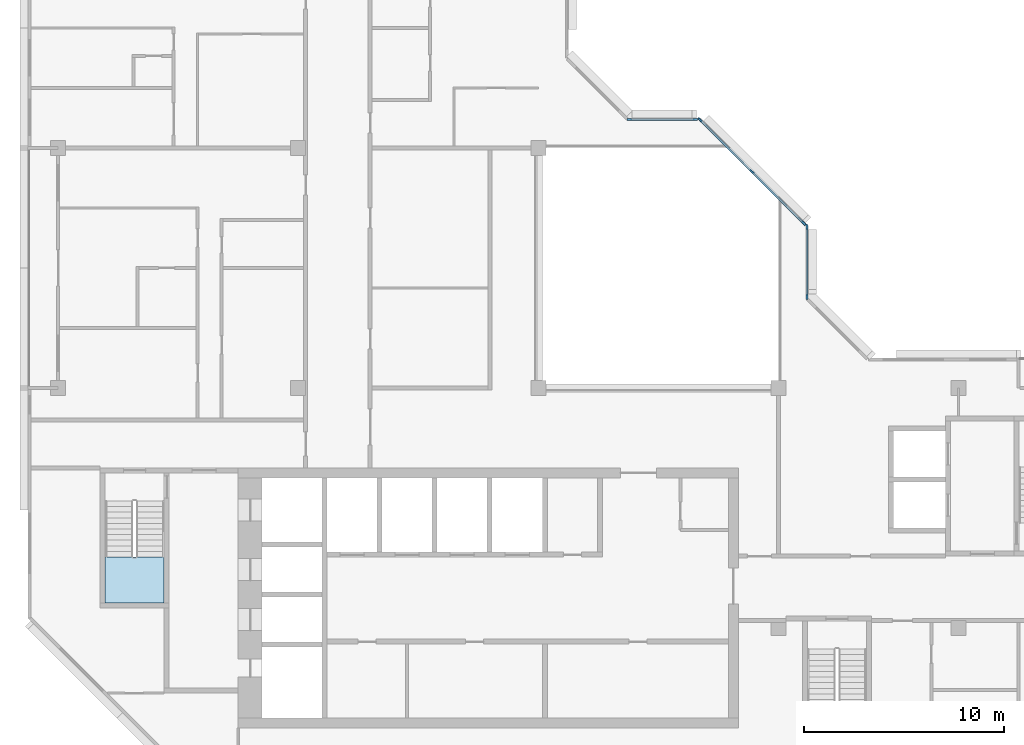
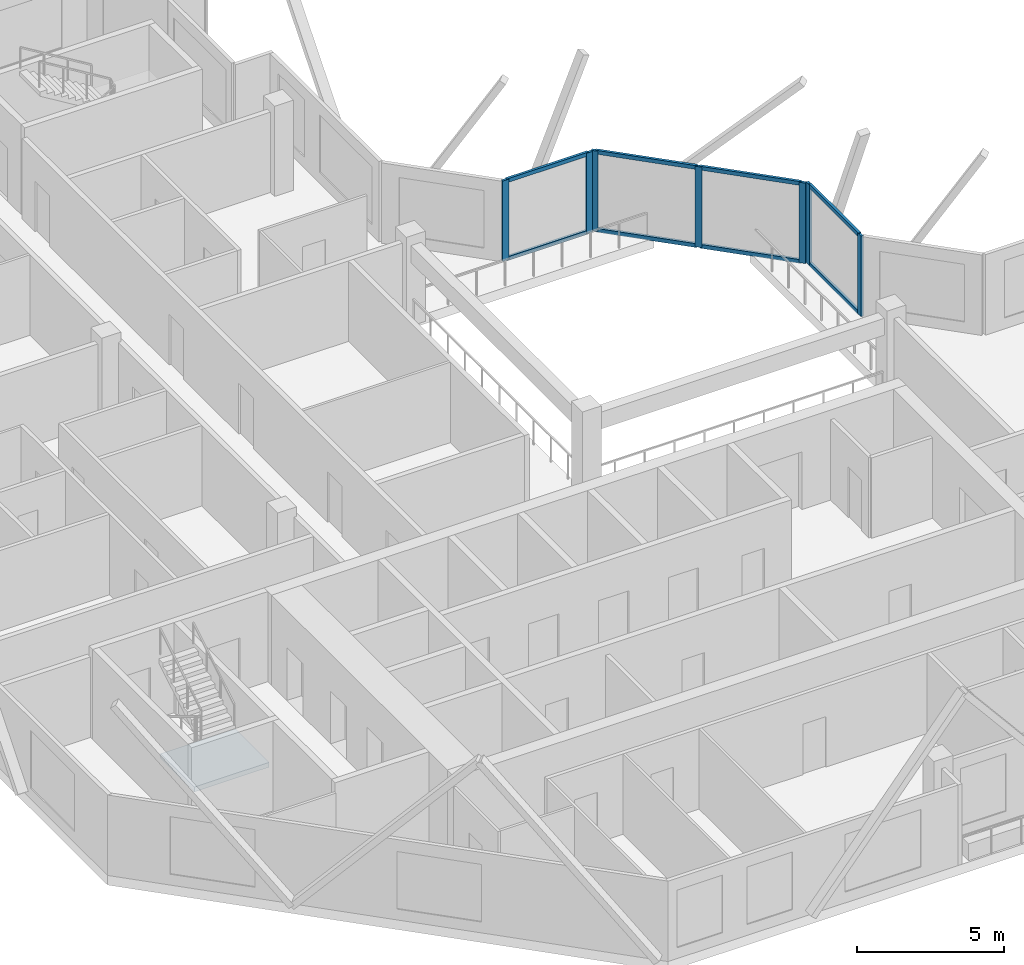
# One storey, part 2 of 12: 15 members, 1 slab, 4 elements without a shape of their own.
"""IFC4 building model written with IfcOpenShell, lengths in metres."""

import ifcopenshell
import ifcopenshell.guid

model = None  # the IFC model being written
_history = None  # IfcOwnerHistory: only IFC2X3 demands one
_inside = {}  # id of a spatial element -> (the spatial element, [elements in it])
_under = {}  # id of a project, library or spatial element -> (it, [spatial elements below it])
_declared = {}  # id of a project -> (the project, [libraries it declares])
_typed = {}  # id of a type object -> (the type object, [elements of that type])
_made_of = {}  # id of a material, layer set ... -> (it, [elements and type objects made of it])


def new_model(schema):
    """Start an empty IFC model of exactly this schema.

    Asked for "IFC4X3", IfcOpenShell would pick the latest addendum, in which some entities
    have other attributes; the version numbers below select the first issue.
    IFC2X3 requires an IfcOwnerHistory on every rooted entity: one is made here for all.
    """
    global model, _history
    if schema == "IFC4X3":
        model = ifcopenshell.file(schema_version=(4, 3, 0, 0))
    else:
        model = ifcopenshell.file(schema=schema)
    _inside.clear()
    _under.clear()
    _declared.clear()
    _typed.clear()
    _made_of.clear()
    _history = None
    if model.schema == "IFC2X3":
        org = make("IfcOrganization", Name="unknown")
        user = make(
            "IfcPersonAndOrganization",
            ThePerson=make("IfcPerson", FamilyName="unknown"),
            TheOrganization=org,
        )
        app = make(
            "IfcApplication",
            ApplicationDeveloper=org,
            Version="unknown",
            ApplicationFullName="unknown",
            ApplicationIdentifier="unknown",
        )
        _history = make(
            "IfcOwnerHistory",
            OwningUser=user,
            OwningApplication=app,
            ChangeAction="ADDED",
            CreationDate=0,
        )
    return model


def make(cls, **values):
    """One entity of the class cls with the attributes given. An attribute that is None is left unset."""
    return model.create_entity(
        cls, **{name: value for name, value in values.items() if value is not None}
    )


def rooted(cls, **values):
    """An entity with a GlobalId (a new one), such as an element, a storey or a relation."""
    return make(cls, GlobalId=ifcopenshell.guid.new(), OwnerHistory=_history, **values)


def si_unit(unit_type, name, prefix=None):
    """IfcSIUnit, for example si_unit("LENGTHUNIT", "METRE", prefix="MILLI")."""
    return make("IfcSIUnit", UnitType=unit_type, Prefix=prefix, Name=name)


def assignment(units):
    """IfcUnitAssignment: the units of a project."""
    return None if units is None else make("IfcUnitAssignment", Units=units)


def point(xyz):
    """IfcCartesianPoint."""
    return None if xyz is None else make("IfcCartesianPoint", Coordinates=xyz)


def direction(xyz):
    """IfcDirection."""
    return None if xyz is None else make("IfcDirection", DirectionRatios=xyz)


def frame(location, z_axis=None, x_axis=None):
    """IfcAxis2Placement3D, a coordinate frame: its origin and axes. An axis left out is left unset."""
    return make(
        "IfcAxis2Placement3D",
        Location=point(location),
        Axis=direction(z_axis),
        RefDirection=direction(x_axis),
    )


def frame_2d(location, x_axis=None):
    """IfcAxis2Placement2D, a coordinate frame in the plane: its origin and x axis."""
    return make(
        "IfcAxis2Placement2D", Location=point(location), RefDirection=direction(x_axis)
    )


def origin():
    """The frame at (0, 0, 0) with its axes left unset."""
    return frame((0.0, 0.0, 0.0))


def origin_2d():
    """The frame at (0, 0) in the plane with its x axis left unset."""
    return frame_2d((0.0, 0.0))


def place(relative_to, where):
    """IfcLocalPlacement: puts the frame where relative to a parent placement (None: the world)."""
    return make(
        "IfcLocalPlacement", PlacementRelTo=relative_to, RelativePlacement=where
    )


def context(
    kind, dimensions, precision=None, world=None, true_north=None, identifier=None
):
    """IfcGeometricRepresentationContext, for example the 3D "Model" context."""
    return make(
        "IfcGeometricRepresentationContext",
        ContextIdentifier=identifier,
        ContextType=kind,
        CoordinateSpaceDimension=dimensions,
        Precision=precision,
        WorldCoordinateSystem=world,
        TrueNorth=true_north,
    )


def subcontext(parent, identifier, kind, view, scale=None):
    """IfcGeometricRepresentationSubContext, for example "Body" below "Model"."""
    return make(
        "IfcGeometricRepresentationSubContext",
        ContextIdentifier=identifier,
        ContextType=kind,
        ParentContext=parent,
        TargetScale=scale,
        TargetView=view,
    )


def project(units=None, contexts=None):
    """IfcProject with its units and contexts."""
    return rooted(
        "IfcProject",
        Name="project",
        RepresentationContexts=contexts,
        UnitsInContext=assignment(units),
    )


def spatial(cls, under=None, at=None, **own):
    """A site, building, storey or space (cls), placed at a placement, below another one or the project."""
    s = rooted(cls, ObjectPlacement=at, **own)
    if under is not None:
        _under.setdefault(under.id(), (under, []))[1].append(s)
    return s


def polyline(points):
    """IfcPolyline through the points."""
    return make("IfcPolyline", Points=[point(p) for p in points])


def profile(cls, at=None, kind="AREA", **sizes):
    """A parametric profile (cls). Its sizes go by their IFC names, for example OverallWidth=200.0."""
    return make(cls, ProfileType=kind, Position=at, **sizes)


def rectangle(**sizes):
    """IfcRectangleProfileDef."""
    return profile("IfcRectangleProfileDef", **sizes)


def outline(outer, holes=None, kind="AREA"):
    """IfcArbitraryClosedProfileDef: a profile drawn as a closed curve; with holes, ...WithVoids."""
    if holes is None:
        return make("IfcArbitraryClosedProfileDef", ProfileType=kind, OuterCurve=outer)
    return make(
        "IfcArbitraryProfileDefWithVoids",
        ProfileType=kind,
        OuterCurve=outer,
        InnerCurves=holes,
    )


def extrude(swept, where, along, depth):
    """IfcExtrudedAreaSolid: the profile swept, set in the frame where, extruded along a direction by depth."""
    return make(
        "IfcExtrudedAreaSolid",
        SweptArea=swept,
        Position=where,
        ExtrudedDirection=direction(along),
        Depth=depth,
    )


def shape(context_of_items, identifier, shape_type, items):
    """IfcShapeRepresentation: the items that make up one representation, for example the "Body"."""
    return make(
        "IfcShapeRepresentation",
        ContextOfItems=context_of_items,
        RepresentationIdentifier=identifier,
        RepresentationType=shape_type,
        Items=items,
    )


def material(Name=None, Category=None):
    """IfcMaterial."""
    return make("IfcMaterial", Name=Name, Category=Category)


def layer(
    of_material, thickness, ventilated=None, Name=None, Category=None, Priority=None
):
    """IfcMaterialLayer: one layer of a wall or slab, of a material (None: an air gap)."""
    return make(
        "IfcMaterialLayer",
        Material=of_material,
        LayerThickness=thickness,
        IsVentilated=ventilated,
        Name=Name,
        Category=Category,
        Priority=Priority,
    )


def layer_set(layers, Name=None):
    """IfcMaterialLayerSet."""
    return make("IfcMaterialLayerSet", MaterialLayers=layers, LayerSetName=Name)


def material_profile(
    of_material, cross_section, Name=None, Category=None, Priority=None
):
    """IfcMaterialProfile: a cross section and its material."""
    return make(
        "IfcMaterialProfile",
        Name=Name,
        Material=of_material,
        Profile=cross_section,
        Priority=Priority,
        Category=Category,
    )


def profile_set(profiles, Name=None, composite=None):
    """IfcMaterialProfileSet."""
    return make(
        "IfcMaterialProfileSet",
        Name=Name,
        MaterialProfiles=profiles,
        CompositeProfile=composite,
    )


def made_of(thing, what):
    """Note that an element or type object is made of a material, layer set ...; save() writes the relation."""
    if what is not None:
        _made_of.setdefault(what.id(), (what, []))[1].append(thing)
    return thing


def type_object(cls, material=None, **own):
    """A type object (cls), such as IfcWallType, which elements share."""
    return made_of(rooted(cls, **own), material)


def element(
    cls,
    number,
    at=None,
    inside=None,
    cuts=None,
    type_object=None,
    material=None,
    context=None,
    identifier="Body",
    shape_type=None,
    held_by="IfcProductDefinitionShape",
    body=None,
    shapes=None,
    **own,
):
    """One element of the class cls, such as IfcWall. Its Tag is "e" and its number.

    at: its placement. inside: the storey or other place that contains it. cuts: it is an
    opening in that element (IfcRelVoidsElement). A single representation is given by context,
    identifier, shape_type and body (its items); several are given by shapes. held_by: the class
    of the entity that holds the representations. save() writes the other relations.
    """
    e = rooted(cls, Tag="e%d" % number, ObjectPlacement=at, **own)
    if body is not None:
        shapes = [shape(context, identifier, shape_type, body)]
    if shapes is not None:
        e.Representation = make(held_by, Representations=shapes)
    if inside is not None:
        _inside.setdefault(inside.id(), (inside, []))[1].append(e)
    if cuts is not None:
        rooted(
            "IfcRelVoidsElement", RelatingBuildingElement=cuts, RelatedOpeningElement=e
        )
    if type_object is not None:
        _typed.setdefault(type_object.id(), (type_object, []))[1].append(e)
    return made_of(e, material)


def aggregate(whole, parts):
    """IfcRelAggregates: a whole, such as a stair, and the parts it consists of."""
    return rooted("IfcRelAggregates", RelatingObject=whole, RelatedObjects=parts)


def save(model, path):
    """Write the relations noted so far, then the file.

    IfcRelAggregates (storeys below a building ...), IfcRelContainedInSpatialStructure (elements
    in a storey), IfcRelDefinesByType, IfcRelAssociatesMaterial and IfcRelDeclares: one each for
    every whole, place, type object, material and project.
    """
    for whole, parts in _under.values():
        aggregate(whole, parts)
    for where, things in _inside.values():
        rooted(
            "IfcRelContainedInSpatialStructure",
            RelatedElements=things,
            RelatingStructure=where,
        )
    for kind, things in _typed.values():
        rooted("IfcRelDefinesByType", RelatedObjects=things, RelatingType=kind)
    for what, things in _made_of.values():
        rooted("IfcRelAssociatesMaterial", RelatedObjects=things, RelatingMaterial=what)
    for by, libraries in _declared.values():
        rooted("IfcRelDeclares", RelatingContext=by, RelatedDefinitions=libraries)
    model.write(path)


model = new_model("IFC4")

# Units and contexts
model_context = context("Model", 3, precision=1e-05, world=origin(), true_north=direction((0.0, 1.0)))
body_context = subcontext(model_context, "Body", "Model", "MODEL_VIEW")
ifc_project = project(units=[si_unit("LENGTHUNIT", "METRE"), si_unit("AREAUNIT", "SQUARE_METRE"), si_unit("VOLUMEUNIT", "CUBIC_METRE"), si_unit("PLANEANGLEUNIT", "RADIAN"), si_unit("MASSUNIT", "GRAM", prefix="KILO")], contexts=[model_context])

# Site, building, storey
site_placement = place(None, origin())
site = spatial("IfcSite", under=ifc_project, at=site_placement, CompositionType="ELEMENT")
building_placement = place(site_placement, origin())
building = spatial("IfcBuilding", under=site, at=building_placement, Name="Chenar Terraces", CompositionType="ELEMENT")
storey_placement = place(building_placement, frame((0.0, 0.0, 353.89990234375)))
storey = spatial("IfcBuildingStorey", under=building, at=storey_placement, Name="L82", CompositionType="ELEMENT", Elevation=353.89990234375)

# Curtain wall, members
ifc_material_1 = material(Name="Aluminium framed glazing", Category="aluminium")
ifc_layer_1 = layer(ifc_material_1, 0.14990234375)
ifc_layer_set_1 = layer_set([ifc_layer_1], Name="Aluminium framed glazing")
curtain_wall_type = type_object("IfcCurtainWallType", Name="Atrium upper-zone curtain wall", PredefinedType="NOTDEFINED", material=ifc_layer_set_1)
placement = place(storey_placement, origin())
curtain_wall_1 = element("IfcCurtainWall", 1, at=placement, inside=storey, type_object=curtain_wall_type, Name="Atrium upper-zone curtain wall", PredefinedType="NOTDEFINED")
ifc_material_2 = material(Name="Aluminium", Category="aluminium")
ifc_material_profile_1 = material_profile(ifc_material_2, rectangle(XDim=0.10009765625, YDim=0.239990234375, at=origin_2d()), Name="Atrium upper-zone glazing mullion 100 x 240")
ifc_profile_set_1 = profile_set([ifc_material_profile_1], Name="Aluminium")
member_type_1 = type_object("IfcMemberType", Name="Atrium upper-zone glazing mullion 100 x 240", PredefinedType="MULLION", material=ifc_profile_set_1)
member_1_placement = place(storey_placement, frame((37.425048828125, 28.550048828125, 0.0), z_axis=(0.0, 0.0, 1.0), x_axis=(-1.0, 0.0, 0.0)))
member_1 = element("IfcMember", 2, at=member_1_placement, type_object=member_type_1, Name="CW8-1 mullion 1", PredefinedType="MULLION", context=body_context, shape_type="SweptSolid", body=[
    extrude(rectangle(XDim=0.10009765625, YDim=0.239990234375, at=origin_2d()), origin(), (0.0, 0.0, 1.0), 3.35009765625),
])
member_2_placement = place(storey_placement, frame((37.425048828125, 32.050048828125, 0.0), z_axis=(0.0, 0.0, 1.0), x_axis=(-1.0, 0.0, 0.0)))
member_2 = element("IfcMember", 3, at=member_2_placement, type_object=member_type_1, Name="CW8-1 mullion 2", PredefinedType="MULLION", context=body_context, shape_type="SweptSolid", body=[
    extrude(rectangle(XDim=0.10009765625, YDim=0.239990234375, at=origin_2d()), origin(), (0.0, 0.0, 1.0), 3.35009765625),
])

curtain_wall_2 = element("IfcCurtainWall", 4, at=placement, inside=storey, type_object=curtain_wall_type, Name="Atrium upper-zone curtain wall", PredefinedType="NOTDEFINED")
member_3_placement = place(storey_placement, frame((37.270263671875, 32.2236328125, 0.0), z_axis=(0.0, 0.0, 1.0), x_axis=(-0.707106781187, -0.707106781187, 0.0)))
member_3 = element("IfcMember", 5, at=member_3_placement, type_object=member_type_1, Name="CW8-2 mullion 1", PredefinedType="MULLION", context=body_context, shape_type="SweptSolid", body=[
    extrude(rectangle(XDim=0.10009765625, YDim=0.239990234375, at=origin_2d()), origin(), (0.0, 0.0, 1.0), 3.35009765625),
])
member_4_placement = place(storey_placement, frame((34.67626953125, 34.817626953125, 0.0), z_axis=(0.0, 0.0, 1.0), x_axis=(-0.707106781187, -0.707106781187, 0.0)))
member_4 = element("IfcMember", 6, at=member_4_placement, type_object=member_type_1, Name="CW8-2 mullion 2", PredefinedType="MULLION", context=body_context, shape_type="SweptSolid", body=[
    extrude(rectangle(XDim=0.10009765625, YDim=0.239990234375, at=origin_2d()), origin(), (0.0, 0.0, 1.0), 3.35009765625),
])
member_5_placement = place(storey_placement, frame((32.082275390625, 37.41162109375, 0.0), z_axis=(0.0, 0.0, 1.0), x_axis=(-0.707106781187, -0.707106781187, 0.0)))
member_5 = element("IfcMember", 7, at=member_5_placement, type_object=member_type_1, Name="CW8-2 mullion 3", PredefinedType="MULLION", context=body_context, shape_type="SweptSolid", body=[
    extrude(rectangle(XDim=0.10009765625, YDim=0.239990234375, at=origin_2d()), origin(), (0.0, 0.0, 1.0), 3.35009765625),
])

curtain_wall_3 = element("IfcCurtainWall", 8, at=placement, inside=storey, type_object=curtain_wall_type, Name="Atrium upper-zone curtain wall", PredefinedType="NOTDEFINED")
member_6_placement = place(storey_placement, frame((31.85009765625, 37.425048828125, 0.0), z_axis=(0.0, 0.0, 1.0), x_axis=(0.0, -1.0, 0.0)))
member_6 = element("IfcMember", 9, at=member_6_placement, type_object=member_type_1, Name="CW8-3 mullion 1", PredefinedType="MULLION", context=body_context, shape_type="SweptSolid", body=[
    extrude(rectangle(XDim=0.10009765625, YDim=0.239990234375, at=origin_2d()), origin(), (0.0, 0.0, 1.0), 3.35009765625),
])
member_7_placement = place(storey_placement, frame((28.550048828125, 37.425048828125, 0.0), z_axis=(0.0, 0.0, 1.0), x_axis=(0.0, -1.0, 0.0)))
member_7 = element("IfcMember", 10, at=member_7_placement, type_object=member_type_1, Name="CW8-3 mullion 2", PredefinedType="MULLION", context=body_context, shape_type="SweptSolid", body=[
    extrude(rectangle(XDim=0.10009765625, YDim=0.239990234375, at=origin_2d()), origin(), (0.0, 0.0, 1.0), 3.35009765625),
])

# Member
ifc_material_3 = material(Name="Aluminium", Category="aluminium")
ifc_material_profile_2 = material_profile(ifc_material_3, rectangle(XDim=0.10009765625, YDim=0.159912109375, at=origin_2d()), Name="Atrium upper-zone glazing transom 100 x 160")
ifc_profile_set_2 = profile_set([ifc_material_profile_2], Name="Aluminium")
member_type_2 = type_object("IfcMemberType", Name="Atrium upper-zone glazing transom 100 x 160", PredefinedType="USERDEFINED", material=ifc_profile_set_2)
member_8_placement = place(storey_placement, frame((37.425048828125, 28.60009765625, 0.050048828125), z_axis=(0.0, 1.0, 0.0), x_axis=(-1.0, 0.0, 0.0)))
member_8 = element("IfcMember", 11, at=member_8_placement, type_object=member_type_2, Name="CW8-1 transom 1.1", ObjectType="TRANSOM", PredefinedType="USERDEFINED", context=body_context, shape_type="SweptSolid", body=[
    extrude(rectangle(XDim=0.10009765625, YDim=0.159912109375, at=origin_2d()), origin(), (0.0, 0.0, 1.0), 3.39990234375),
])

member_9_placement = place(storey_placement, frame((37.425048828125, 28.60009765625, 3.300048828125), z_axis=(0.0, 1.0, 0.0), x_axis=(-1.0, 0.0, 0.0)))
member_9 = element("IfcMember", 12, at=member_9_placement, type_object=member_type_2, Name="CW8-1 transom 1.2", ObjectType="TRANSOM", PredefinedType="USERDEFINED", context=body_context, shape_type="SweptSolid", body=[
    extrude(rectangle(XDim=0.10009765625, YDim=0.159912109375, at=origin_2d()), origin(), (0.0, 0.0, 1.0), 3.39990234375),
])

aggregate(curtain_wall_1, [member_1, member_2, member_8, member_9])

member_10_placement = place(storey_placement, frame((37.23486328125, 32.259033203125, 0.050048828125), z_axis=(-0.707106781187, 0.707106781187, 0.0), x_axis=(-0.707106781187, -0.707106781187, 0.0)))
member_10 = element("IfcMember", 13, at=member_10_placement, type_object=member_type_2, Name="CW8-2 transom 1.1", ObjectType="TRANSOM", PredefinedType="USERDEFINED", context=body_context, shape_type="SweptSolid", body=[
    extrude(rectangle(XDim=0.10009765625, YDim=0.159912109375, at=origin_2d()), origin(), (0.0, 0.0, 1.0), 3.568359375),
])

member_11_placement = place(storey_placement, frame((37.23486328125, 32.259033203125, 3.300048828125), z_axis=(-0.707106781187, 0.707106781187, 0.0), x_axis=(-0.707106781187, -0.707106781187, 0.0)))
member_11 = element("IfcMember", 14, at=member_11_placement, type_object=member_type_2, Name="CW8-2 transom 1.2", ObjectType="TRANSOM", PredefinedType="USERDEFINED", context=body_context, shape_type="SweptSolid", body=[
    extrude(rectangle(XDim=0.10009765625, YDim=0.159912109375, at=origin_2d()), origin(), (0.0, 0.0, 1.0), 3.568359375),
])

member_12_placement = place(storey_placement, frame((34.640869140625, 34.85302734375, 0.050048828125), z_axis=(-0.707106781187, 0.707106781187, 0.0), x_axis=(-0.707106781187, -0.707106781187, 0.0)))
member_12 = element("IfcMember", 15, at=member_12_placement, type_object=member_type_2, Name="CW8-2 transom 2.1", ObjectType="TRANSOM", PredefinedType="USERDEFINED", context=body_context, shape_type="SweptSolid", body=[
    extrude(rectangle(XDim=0.10009765625, YDim=0.159912109375, at=origin_2d()), origin(), (0.0, 0.0, 1.0), 3.568359375),
])

member_13_placement = place(storey_placement, frame((34.640869140625, 34.85302734375, 3.300048828125), z_axis=(-0.707106781187, 0.707106781187, 0.0), x_axis=(-0.707106781187, -0.707106781187, 0.0)))
member_13 = element("IfcMember", 16, at=member_13_placement, type_object=member_type_2, Name="CW8-2 transom 2.2", ObjectType="TRANSOM", PredefinedType="USERDEFINED", context=body_context, shape_type="SweptSolid", body=[
    extrude(rectangle(XDim=0.10009765625, YDim=0.159912109375, at=origin_2d()), origin(), (0.0, 0.0, 1.0), 3.568359375),
])

aggregate(curtain_wall_2, [member_3, member_4, member_5, member_10, member_11, member_12, member_13])

member_14_placement = place(storey_placement, frame((31.800048828125, 37.425048828125, 0.050048828125), z_axis=(-1.0, 0.0, 0.0), x_axis=(0.0, -1.0, 0.0)))
member_14 = element("IfcMember", 17, at=member_14_placement, type_object=member_type_2, Name="CW8-3 transom 1.1", ObjectType="TRANSOM", PredefinedType="USERDEFINED", context=body_context, shape_type="SweptSolid", body=[
    extrude(rectangle(XDim=0.10009765625, YDim=0.159912109375, at=origin_2d()), origin(), (0.0, 0.0, 1.0), 3.199951171875),
])

member_15_placement = place(storey_placement, frame((31.800048828125, 37.425048828125, 3.300048828125), z_axis=(-1.0, 0.0, 0.0), x_axis=(0.0, -1.0, 0.0)))
member_15 = element("IfcMember", 18, at=member_15_placement, type_object=member_type_2, Name="CW8-3 transom 1.2", ObjectType="TRANSOM", PredefinedType="USERDEFINED", context=body_context, shape_type="SweptSolid", body=[
    extrude(rectangle(XDim=0.10009765625, YDim=0.159912109375, at=origin_2d()), origin(), (0.0, 0.0, 1.0), 3.199951171875),
])

aggregate(curtain_wall_3, [member_6, member_7, member_14, member_15])

# Stair, slab
ifc_material_4 = material(Name="Reinforced concrete C40/50", Category="concrete")
stair_type = type_object("IfcStairType", Name="Core stair 1400 half-turn", PredefinedType="HALF_TURN_STAIR", material=ifc_material_4)
stair = element("IfcStair", 19, at=placement, inside=storey, type_object=stair_type, Name="L82 Stair 1", PredefinedType="HALF_TURN_STAIR")
ifc_material_5 = material(Name="Reinforced concrete C40/50", Category="concrete")
ifc_layer_2 = layer(ifc_material_5, 0.199951171875)
ifc_layer_set_2 = layer_set([ifc_layer_2], Name="Reinforced concrete C40/50")
slab_type = type_object("IfcSlabType", Name="Core stair landing 200", PredefinedType="LANDING", material=ifc_layer_set_2)
slab_placement = place(storey_placement, frame((0.0, 0.0, 1.675048828125)))
slab = element("IfcSlab", 20, at=slab_placement, type_object=slab_type, Name="ST1 landing 1", PredefinedType="LANDING", context=body_context, shape_type="SweptSolid", body=[
    extrude(outline(polyline([(2.35009765625, 15.550048828125), (2.35009765625, 13.25), (5.300048828125, 13.25), (5.300048828125, 15.550048828125), (2.35009765625, 15.550048828125)])), origin(), (0.0, 0.0, 1.0), 0.199951171875),
])
aggregate(stair, [slab])

save(model, "model.ifc")
